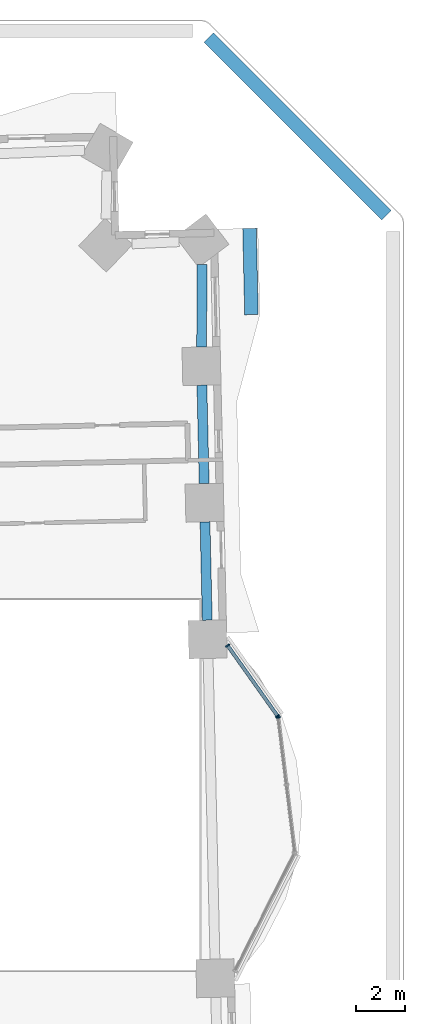
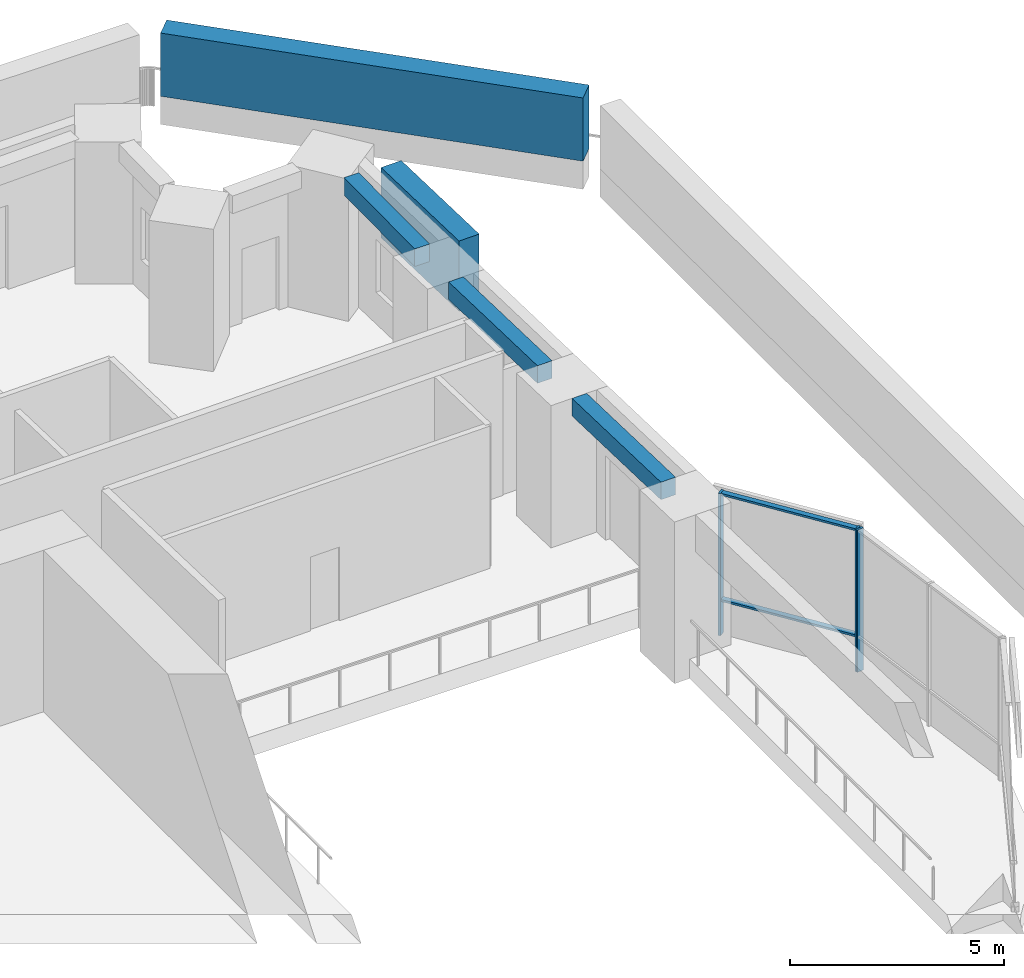
# One storey, part 8 of 21: 7 members, 3 beams, 2 elements without a shape of their own.
"""IFC4 building model written with IfcOpenShell, lengths in metres."""

import ifcopenshell
import ifcopenshell.guid

model = None  # the IFC model being written
_history = None  # IfcOwnerHistory: only IFC2X3 demands one
_inside = {}  # id of a spatial element -> (the spatial element, [elements in it])
_under = {}  # id of a project, library or spatial element -> (it, [spatial elements below it])
_declared = {}  # id of a project -> (the project, [libraries it declares])
_typed = {}  # id of a type object -> (the type object, [elements of that type])
_made_of = {}  # id of a material, layer set ... -> (it, [elements and type objects made of it])


def new_model(schema):
    """Start an empty IFC model of exactly this schema.

    Asked for "IFC4X3", IfcOpenShell would pick the latest addendum, in which some entities
    have other attributes; the version numbers below select the first issue.
    IFC2X3 requires an IfcOwnerHistory on every rooted entity: one is made here for all.
    """
    global model, _history
    if schema == "IFC4X3":
        model = ifcopenshell.file(schema_version=(4, 3, 0, 0))
    else:
        model = ifcopenshell.file(schema=schema)
    _inside.clear()
    _under.clear()
    _declared.clear()
    _typed.clear()
    _made_of.clear()
    _history = None
    if model.schema == "IFC2X3":
        org = make("IfcOrganization", Name="unknown")
        user = make(
            "IfcPersonAndOrganization",
            ThePerson=make("IfcPerson", FamilyName="unknown"),
            TheOrganization=org,
        )
        app = make(
            "IfcApplication",
            ApplicationDeveloper=org,
            Version="unknown",
            ApplicationFullName="unknown",
            ApplicationIdentifier="unknown",
        )
        _history = make(
            "IfcOwnerHistory",
            OwningUser=user,
            OwningApplication=app,
            ChangeAction="ADDED",
            CreationDate=0,
        )
    return model


def make(cls, **values):
    """One entity of the class cls with the attributes given. An attribute that is None is left unset."""
    return model.create_entity(
        cls, **{name: value for name, value in values.items() if value is not None}
    )


def rooted(cls, **values):
    """An entity with a GlobalId (a new one), such as an element, a storey or a relation."""
    return make(cls, GlobalId=ifcopenshell.guid.new(), OwnerHistory=_history, **values)


def si_unit(unit_type, name, prefix=None):
    """IfcSIUnit, for example si_unit("LENGTHUNIT", "METRE", prefix="MILLI")."""
    return make("IfcSIUnit", UnitType=unit_type, Prefix=prefix, Name=name)


def assignment(units):
    """IfcUnitAssignment: the units of a project."""
    return None if units is None else make("IfcUnitAssignment", Units=units)


def point(xyz):
    """IfcCartesianPoint."""
    return None if xyz is None else make("IfcCartesianPoint", Coordinates=xyz)


def direction(xyz):
    """IfcDirection."""
    return None if xyz is None else make("IfcDirection", DirectionRatios=xyz)


def frame(location, z_axis=None, x_axis=None):
    """IfcAxis2Placement3D, a coordinate frame: its origin and axes. An axis left out is left unset."""
    return make(
        "IfcAxis2Placement3D",
        Location=point(location),
        Axis=direction(z_axis),
        RefDirection=direction(x_axis),
    )


def frame_2d(location, x_axis=None):
    """IfcAxis2Placement2D, a coordinate frame in the plane: its origin and x axis."""
    return make(
        "IfcAxis2Placement2D", Location=point(location), RefDirection=direction(x_axis)
    )


def origin():
    """The frame at (0, 0, 0) with its axes left unset."""
    return frame((0.0, 0.0, 0.0))


def origin_2d():
    """The frame at (0, 0) in the plane with its x axis left unset."""
    return frame_2d((0.0, 0.0))


def place(relative_to, where):
    """IfcLocalPlacement: puts the frame where relative to a parent placement (None: the world)."""
    return make(
        "IfcLocalPlacement", PlacementRelTo=relative_to, RelativePlacement=where
    )


def context(
    kind, dimensions, precision=None, world=None, true_north=None, identifier=None
):
    """IfcGeometricRepresentationContext, for example the 3D "Model" context."""
    return make(
        "IfcGeometricRepresentationContext",
        ContextIdentifier=identifier,
        ContextType=kind,
        CoordinateSpaceDimension=dimensions,
        Precision=precision,
        WorldCoordinateSystem=world,
        TrueNorth=true_north,
    )


def subcontext(parent, identifier, kind, view, scale=None):
    """IfcGeometricRepresentationSubContext, for example "Body" below "Model"."""
    return make(
        "IfcGeometricRepresentationSubContext",
        ContextIdentifier=identifier,
        ContextType=kind,
        ParentContext=parent,
        TargetScale=scale,
        TargetView=view,
    )


def project(units=None, contexts=None):
    """IfcProject with its units and contexts."""
    return rooted(
        "IfcProject",
        Name="project",
        RepresentationContexts=contexts,
        UnitsInContext=assignment(units),
    )


def spatial(cls, under=None, at=None, **own):
    """A site, building, storey or space (cls), placed at a placement, below another one or the project."""
    s = rooted(cls, ObjectPlacement=at, **own)
    if under is not None:
        _under.setdefault(under.id(), (under, []))[1].append(s)
    return s


def profile(cls, at=None, kind="AREA", **sizes):
    """A parametric profile (cls). Its sizes go by their IFC names, for example OverallWidth=200.0."""
    return make(cls, ProfileType=kind, Position=at, **sizes)


def rectangle(**sizes):
    """IfcRectangleProfileDef."""
    return profile("IfcRectangleProfileDef", **sizes)


def extrude(swept, where, along, depth):
    """IfcExtrudedAreaSolid: the profile swept, set in the frame where, extruded along a direction by depth."""
    return make(
        "IfcExtrudedAreaSolid",
        SweptArea=swept,
        Position=where,
        ExtrudedDirection=direction(along),
        Depth=depth,
    )


def shape(context_of_items, identifier, shape_type, items):
    """IfcShapeRepresentation: the items that make up one representation, for example the "Body"."""
    return make(
        "IfcShapeRepresentation",
        ContextOfItems=context_of_items,
        RepresentationIdentifier=identifier,
        RepresentationType=shape_type,
        Items=items,
    )


def material(Name=None, Category=None):
    """IfcMaterial."""
    return make("IfcMaterial", Name=Name, Category=Category)


def material_profile(
    of_material, cross_section, Name=None, Category=None, Priority=None
):
    """IfcMaterialProfile: a cross section and its material."""
    return make(
        "IfcMaterialProfile",
        Name=Name,
        Material=of_material,
        Profile=cross_section,
        Priority=Priority,
        Category=Category,
    )


def profile_set(profiles, Name=None, composite=None):
    """IfcMaterialProfileSet."""
    return make(
        "IfcMaterialProfileSet",
        Name=Name,
        MaterialProfiles=profiles,
        CompositeProfile=composite,
    )


def made_of(thing, what):
    """Note that an element or type object is made of a material, layer set ...; save() writes the relation."""
    if what is not None:
        _made_of.setdefault(what.id(), (what, []))[1].append(thing)
    return thing


def type_object(cls, material=None, **own):
    """A type object (cls), such as IfcWallType, which elements share."""
    return made_of(rooted(cls, **own), material)


def element(
    cls,
    number,
    at=None,
    inside=None,
    cuts=None,
    type_object=None,
    material=None,
    context=None,
    identifier="Body",
    shape_type=None,
    held_by="IfcProductDefinitionShape",
    body=None,
    shapes=None,
    **own,
):
    """One element of the class cls, such as IfcWall. Its Tag is "e" and its number.

    at: its placement. inside: the storey or other place that contains it. cuts: it is an
    opening in that element (IfcRelVoidsElement). A single representation is given by context,
    identifier, shape_type and body (its items); several are given by shapes. held_by: the class
    of the entity that holds the representations. save() writes the other relations.
    """
    e = rooted(cls, Tag="e%d" % number, ObjectPlacement=at, **own)
    if body is not None:
        shapes = [shape(context, identifier, shape_type, body)]
    if shapes is not None:
        e.Representation = make(held_by, Representations=shapes)
    if inside is not None:
        _inside.setdefault(inside.id(), (inside, []))[1].append(e)
    if cuts is not None:
        rooted(
            "IfcRelVoidsElement", RelatingBuildingElement=cuts, RelatedOpeningElement=e
        )
    if type_object is not None:
        _typed.setdefault(type_object.id(), (type_object, []))[1].append(e)
    return made_of(e, material)


def aggregate(whole, parts):
    """IfcRelAggregates: a whole, such as a stair, and the parts it consists of."""
    return rooted("IfcRelAggregates", RelatingObject=whole, RelatedObjects=parts)


def save(model, path):
    """Write the relations noted so far, then the file.

    IfcRelAggregates (storeys below a building ...), IfcRelContainedInSpatialStructure (elements
    in a storey), IfcRelDefinesByType, IfcRelAssociatesMaterial and IfcRelDeclares: one each for
    every whole, place, type object, material and project.
    """
    for whole, parts in _under.values():
        aggregate(whole, parts)
    for where, things in _inside.values():
        rooted(
            "IfcRelContainedInSpatialStructure",
            RelatedElements=things,
            RelatingStructure=where,
        )
    for kind, things in _typed.values():
        rooted("IfcRelDefinesByType", RelatedObjects=things, RelatingType=kind)
    for what, things in _made_of.values():
        rooted("IfcRelAssociatesMaterial", RelatedObjects=things, RelatingMaterial=what)
    for by, libraries in _declared.values():
        rooted("IfcRelDeclares", RelatingContext=by, RelatedDefinitions=libraries)
    model.write(path)


model = new_model("IFC4")

# Units and contexts
model_context = context("Model", 3, precision=1e-05, world=origin(), true_north=direction((0.0, 1.0)))
body_context = subcontext(model_context, "Body", "Model", "MODEL_VIEW")
ifc_project = project(units=[si_unit("LENGTHUNIT", "METRE"), si_unit("AREAUNIT", "SQUARE_METRE"), si_unit("VOLUMEUNIT", "CUBIC_METRE"), si_unit("PLANEANGLEUNIT", "RADIAN"), si_unit("MASSUNIT", "GRAM", prefix="KILO")], contexts=[model_context])

# Site, building, storey
site_placement = place(None, origin())
site = spatial("IfcSite", under=ifc_project, at=site_placement, CompositionType="ELEMENT")
building_placement = place(site_placement, origin())
building = spatial("IfcBuilding", under=site, at=building_placement, Name="Mangrove Gate Tower", CompositionType="ELEMENT")
storey_placement = place(building_placement, frame((0.0, 0.0, 29.5)))
storey = spatial("IfcBuildingStorey", under=building, at=storey_placement, Name="L06", CompositionType="ELEMENT", Elevation=29.5)

# Member
ifc_material_1 = material(Name="Planting on aluminium trellis", Category="aluminium")
ifc_material_profile_1 = material_profile(ifc_material_1, rectangle(XDim=0.550048828125, YDim=2.0, at=origin_2d()))
ifc_profile_set_1 = profile_set([ifc_material_profile_1], Name="Planting on aluminium trellis")
member_type_1 = type_object("IfcMemberType", Name="Balcony greenery screen 550x2000", PredefinedType="USERDEFINED", material=ifc_profile_set_1)
member_1_placement = place(storey_placement, frame((30.037109375, 19.072998046875, 1.800048828125), z_axis=(-0.022600979566, 0.999744565238, 0.0), x_axis=(-0.999744565238, -0.022600979566, 0.0)))
element("IfcMember", 1, at=member_1_placement, inside=storey, type_object=member_type_1, Name="GREEN SCREEN L06 E1.1", ObjectType="PLANTING", PredefinedType="USERDEFINED", context=body_context, shape_type="SweptSolid", body=[
    extrude(rectangle(XDim=0.550048828125, YDim=2.0, at=origin_2d()), origin(), (0.0, 0.0, 1.0), 3.5),
])

# Beams
ifc_material_2 = material(Name="Concrete C50/60", Category="concrete")
ifc_material_profile_2 = material_profile(ifc_material_2, rectangle(XDim=0.39990234375, YDim=0.5, at=origin_2d()))
ifc_profile_set_2 = profile_set([ifc_material_profile_2], Name="Concrete C50/60")
beam_type = type_object("IfcBeamType", Name="Edge beam RC 400x500 C50/60", PredefinedType="BEAM", material=ifc_profile_set_2)
beam_1_placement = place(storey_placement, frame((28.24365234375, 6.67919921875, 3.800048828125), z_axis=(-0.022753361423, 0.99974110876, 0.0), x_axis=(-0.99974110876, -0.022753361423, 0.0)))
element("IfcBeam", 2, at=beam_1_placement, inside=storey, type_object=beam_type, Name="Edge beam L06 18", PredefinedType="BEAM", context=body_context, shape_type="SweptSolid", body=[
    extrude(rectangle(XDim=0.39990234375, YDim=0.5, at=origin_2d()), origin(), (0.0, 0.0, 1.0), 3.991455078125),
])
beam_2_placement = place(storey_placement, frame((28.11767578125, 12.21923828125, 3.800048828125), z_axis=(-0.022564441197, 0.999745390584, 0.0), x_axis=(-0.999745390584, -0.022564441197, 0.0)))
element("IfcBeam", 3, at=beam_2_placement, inside=storey, type_object=beam_type, Name="Edge beam L06 19", PredefinedType="BEAM", context=body_context, shape_type="SweptSolid", body=[
    extrude(rectangle(XDim=0.39990234375, YDim=0.5, at=origin_2d()), origin(), (0.0, 0.0, 1.0), 3.992431640625),
])
beam_3_placement = place(storey_placement, frame((28.014892578125, 17.7607421875, 3.800048828125), z_axis=(0.006070689773, 0.999981573193, 0.0), x_axis=(-0.999981573193, 0.006070689773, 0.0)))
element("IfcBeam", 4, at=beam_3_placement, inside=storey, type_object=beam_type, Name="Edge beam L06 20", PredefinedType="BEAM", context=body_context, shape_type="SweptSolid", body=[
    extrude(rectangle(XDim=0.39990234375, YDim=0.5, at=origin_2d()), origin(), (0.0, 0.0, 1.0), 3.337890625),
])

# Member
ifc_material_3 = material(Name="Planting on aluminium trellis", Category="aluminium")
ifc_material_profile_3 = material_profile(ifc_material_3, rectangle(XDim=0.550048828125, YDim=1.800048828125, at=origin_2d()))
ifc_profile_set_3 = profile_set([ifc_material_profile_3], Name="Planting on aluminium trellis")
member_type_2 = type_object("IfcMemberType", Name="Roof greenery screen 550x1800", PredefinedType="USERDEFINED", material=ifc_profile_set_3)
member_2_placement = place(storey_placement, frame((28.300048828125, 30.31298828125, 1.699951171875), z_axis=(0.707106781187, -0.707106781187, 0.0), x_axis=(0.707106781187, 0.707106781187, 0.0)))
element("IfcMember", 5, at=member_2_placement, inside=storey, type_object=member_type_2, Name="GREEN SCREEN L06 T2.1.33", ObjectType="PLANTING", PredefinedType="USERDEFINED", context=body_context, shape_type="SweptSolid", body=[
    extrude(rectangle(XDim=0.550048828125, YDim=1.800048828125, at=origin_2d()), origin(), (0.0, 0.0, 1.0), 10.20068359375),
])

# Curtain wall, member
ifc_material_4 = material(Name="Aluminium and glass curtain wall", Category="aluminium")
curtain_wall_type = type_object("IfcCurtainWallType", Name="Sky-lounge glazing wall", PredefinedType="NOTDEFINED", material=ifc_material_4)
curtain_wall_1_placement = place(storey_placement, origin())
curtain_wall_1 = element("IfcCurtainWall", 6, at=curtain_wall_1_placement, inside=storey, type_object=curtain_wall_type, Name="Sky-lounge glazing E1f2", PredefinedType="NOTDEFINED")
ifc_material_5 = material(Name="Aluminium alloy 6063-T6", Category="aluminium")
ifc_material_profile_4 = material_profile(ifc_material_5, rectangle(XDim=0.06005859375, YDim=0.179931640625, at=origin_2d()))
ifc_profile_set_4 = profile_set([ifc_material_profile_4], Name="Aluminium alloy 6063-T6")
member_type_3 = type_object("IfcMemberType", Name="Sky-lounge glazing mullion 60x180", PredefinedType="MULLION", material=ifc_profile_set_4)
member_3_placement = place(storey_placement, frame((31.118408203125, 2.73583984375, 0.0), z_axis=(0.0, 0.0, 1.0), x_axis=(-0.122172285885, 0.992508908051, 0.0)))
member_3 = element("IfcMember", 7, at=member_3_placement, type_object=member_type_3, Name="CWK mullion 3", PredefinedType="MULLION", context=body_context, shape_type="SweptSolid", body=[
    extrude(rectangle(XDim=0.06005859375, YDim=0.179931640625, at=origin_2d()), origin(), (0.0, 0.0, 1.0), 4.050048828125),
])
aggregate(curtain_wall_1, [member_3])

# Curtain wall, members
curtain_wall_2_placement = place(storey_placement, origin())
curtain_wall_2 = element("IfcCurtainWall", 8, at=curtain_wall_2_placement, inside=storey, type_object=curtain_wall_type, Name="Sky-lounge glazing E1f3", PredefinedType="NOTDEFINED")
member_4_placement = place(storey_placement, frame((31.097412109375, 2.790283203125, 0.0), z_axis=(0.0, 0.0, 1.0), x_axis=(-0.578122631637, 0.815949889877, 0.0)))
member_4 = element("IfcMember", 9, at=member_4_placement, type_object=member_type_3, Name="CWK mullion 1", PredefinedType="MULLION", context=body_context, shape_type="SweptSolid", body=[
    extrude(rectangle(XDim=0.06005859375, YDim=0.179931640625, at=origin_2d()), origin(), (0.0, 0.0, 1.0), 4.050048828125),
])
member_5_placement = place(storey_placement, frame((29.06884765625, 5.653076171875, 0.0), z_axis=(0.0, 0.0, 1.0), x_axis=(-0.578122631637, 0.815949889877, 0.0)))
member_5 = element("IfcMember", 10, at=member_5_placement, type_object=member_type_3, Name="CWK mullion 2", PredefinedType="MULLION", context=body_context, shape_type="SweptSolid", body=[
    extrude(rectangle(XDim=0.06005859375, YDim=0.179931640625, at=origin_2d()), origin(), (0.0, 0.0, 1.0), 4.050048828125),
])
ifc_material_6 = material(Name="Aluminium alloy 6063-T6", Category="aluminium")
ifc_material_profile_5 = material_profile(ifc_material_6, rectangle(XDim=0.06005859375, YDim=0.139892578125, at=origin_2d()))
ifc_profile_set_5 = profile_set([ifc_material_profile_5], Name="Aluminium alloy 6063-T6")
member_type_4 = type_object("IfcMemberType", Name="Sky-lounge glazing transom 60x140", PredefinedType="USERDEFINED", material=ifc_profile_set_5)
member_6_placement = place(storey_placement, frame((31.080078125, 2.814697265625, 1.0), z_axis=(-0.578146966246, 0.8159326476, 0.0), x_axis=(0.0, 0.0, 1.0)))
member_6 = element("IfcMember", 11, at=member_6_placement, type_object=member_type_4, Name="CWK transom 1.2", ObjectType="TRANSOM", PredefinedType="USERDEFINED", context=body_context, shape_type="SweptSolid", body=[
    extrude(rectangle(XDim=0.06005859375, YDim=0.139892578125, at=origin_2d()), origin(), (0.0, 0.0, 1.0), 3.44873046875),
])
member_7_placement = place(storey_placement, frame((31.080078125, 2.814697265625, 4.02001953125), z_axis=(-0.578146966246, 0.8159326476, 0.0), x_axis=(0.0, 0.0, 1.0)))
member_7 = element("IfcMember", 12, at=member_7_placement, type_object=member_type_4, Name="CWK transom 1.3", ObjectType="TRANSOM", PredefinedType="USERDEFINED", context=body_context, shape_type="SweptSolid", body=[
    extrude(rectangle(XDim=0.06005859375, YDim=0.139892578125, at=origin_2d()), origin(), (0.0, 0.0, 1.0), 3.44873046875),
])
aggregate(curtain_wall_2, [member_4, member_5, member_6, member_7])

save(model, "model.ifc")
